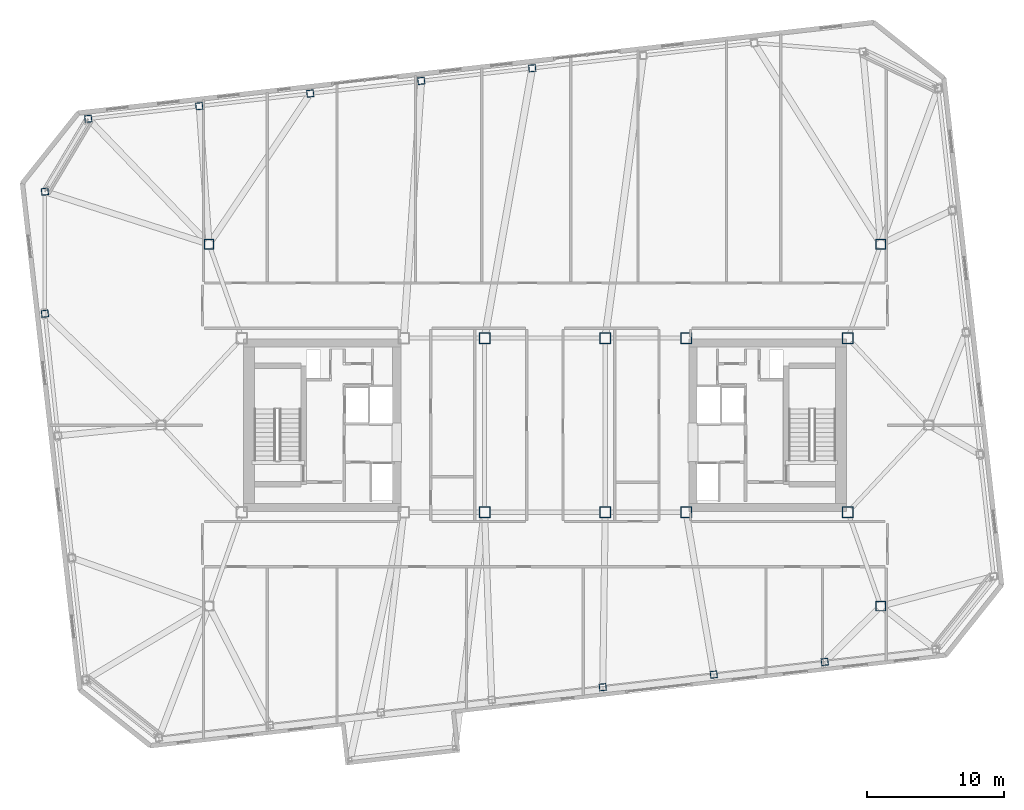
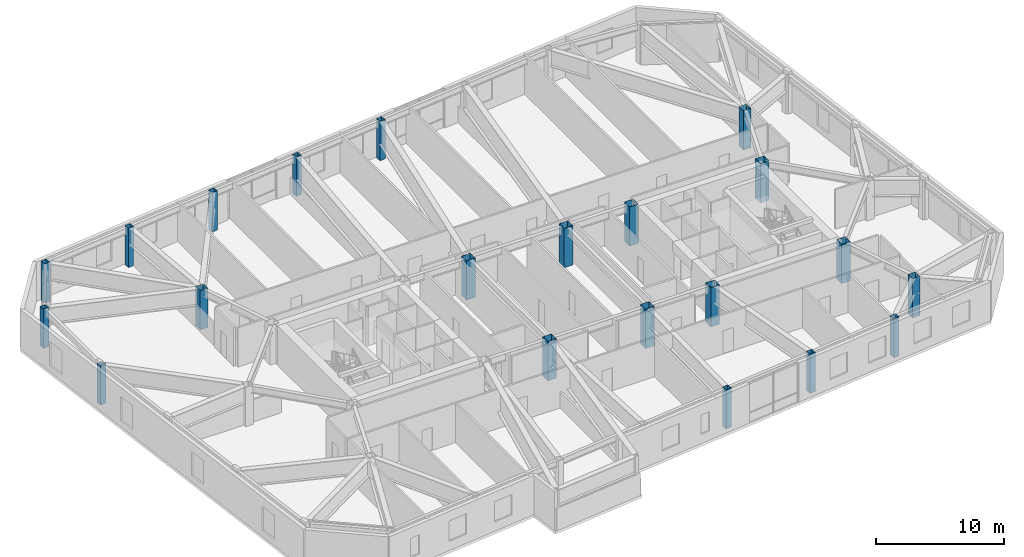
# One storey, part 2 of 18: 21 columns.
"""IFC4 building model written with IfcOpenShell, lengths in metres."""

from ifc_helpers import new_model, si_unit, direction, frame, origin, origin_2d, place, context, subcontext, project, spatial, hollow_rectangle, extrude, material, material_profile, profile_set, type_object, element, save


model = new_model("IFC4")

# Units and contexts
model_context = context("Model", 3, precision=1e-05, world=origin(), true_north=direction((0.0, 1.0)))
body_context = subcontext(model_context, "Body", "Model", "MODEL_VIEW")
ifc_project = project(units=[si_unit("LENGTHUNIT", "METRE"), si_unit("AREAUNIT", "SQUARE_METRE"), si_unit("VOLUMEUNIT", "CUBIC_METRE"), si_unit("PLANEANGLEUNIT", "RADIAN"), si_unit("MASSUNIT", "GRAM", prefix="KILO")], contexts=[model_context])

# Site, building, storey
site_placement = place(None, origin())
site = spatial("IfcSite", under=ifc_project, at=site_placement, CompositionType="ELEMENT")
building_placement = place(site_placement, origin())
building = spatial("IfcBuilding", under=site, at=building_placement, Name="Tavrogorsk Clinical Tower", CompositionType="ELEMENT")
storey_placement = place(building_placement, frame((0.0, 0.0, 222.199951171875)))
storey = spatial("IfcBuildingStorey", under=building, at=storey_placement, Name="L51", CompositionType="ELEMENT", Elevation=222.199951171875)

# Columns
ifc_material_1 = material(Name="Structural steel S440", Category="steel")
ifc_material_profile_1 = material_profile(ifc_material_1, hollow_rectangle(XDim=0.699951171875, YDim=0.699951171875, WallThickness=0.031982421875, at=origin_2d()), Name="BOX-700x700x32")
ifc_profile_set_1 = profile_set([ifc_material_profile_1], Name="Structural steel S440")
column_type_1 = type_object("IfcColumnType", Name="MegaCol_BOX700", PredefinedType="COLUMN", material=ifc_profile_set_1)
for number, where, z_axis, x_axis, name in (
    (1, (24.5, -13.199951171875, 0.0), (0.0, 0.0, 1.0), (1.0, 0.0, 0.0), "L51 Spine Pilotis Column MC-P2"),
    (2, (-24.5, 13.199951171875, 0.0), (0.0, 0.0, 1.0), (1.0, 0.0, 0.0), "L51 Spine Pilotis Column MC-P3"),
    (3, (24.5, 13.199951171875, 0.0), (0.0, 0.0, 1.0), (1.0, 0.0, 0.0), "L51 Spine Pilotis Column MC-P4"),
):
    element("IfcColumn", number, at=place(storey_placement, frame(where, z_axis=z_axis, x_axis=x_axis)), inside=storey, type_object=column_type_1, Name=name, PredefinedType="COLUMN", context=body_context, shape_type="SweptSolid", body=[
        extrude(hollow_rectangle(XDim=0.699951171875, YDim=0.699951171875, WallThickness=0.031982421875, at=origin_2d()), origin(), (0.0, 0.0, 1.0), 3.739990234375),
    ])
ifc_material_2 = material(Name="Structural steel S440", Category="steel")
ifc_material_profile_2 = material_profile(ifc_material_2, hollow_rectangle(XDim=0.800048828125, YDim=0.800048828125, WallThickness=0.035888671875, at=origin_2d()), Name="BOX-800x800x36")
ifc_profile_set_2 = profile_set([ifc_material_profile_2], Name="Structural steel S440")
column_type_2 = type_object("IfcColumnType", Name="MegaCol_BOX800", PredefinedType="COLUMN", material=ifc_profile_set_2)
for number, where, z_axis, x_axis, name in (
    (4, (10.300048828125, -6.35009765625, 0.0), (0.0, 0.0, 1.0), (1.0, 0.0, 0.0), "L51 Mega Column MC-E1"),
    (5, (10.300048828125, 6.35009765625, 0.0), (0.0, 0.0, 1.0), (1.0, 0.0, 0.0), "L51 Mega Column MC-E2"),
    (6, (22.10009765625, -6.35009765625, 0.0), (0.0, 0.0, 1.0), (1.0, 0.0, 0.0), "L51 Mega Column MC-E3"),
    (7, (22.10009765625, 6.35009765625, 0.0), (0.0, 0.0, 1.0), (1.0, 0.0, 0.0), "L51 Mega Column MC-E4"),
    (8, (-4.39990234375, -6.35009765625, 0.0), (0.0, 0.0, 1.0), (1.0, 0.0, 0.0), "L51 Mega Column MC-C1"),
    (9, (4.39990234375, -6.35009765625, 0.0), (0.0, 0.0, 1.0), (1.0, 0.0, 0.0), "L51 Mega Column MC-C2"),
    (10, (-4.39990234375, 6.35009765625, 0.0), (0.0, 0.0, 1.0), (1.0, 0.0, 0.0), "L51 Mega Column MC-C3"),
    (11, (4.39990234375, 6.35009765625, 0.0), (0.0, 0.0, 1.0), (1.0, 0.0, 0.0), "L51 Mega Column MC-C4"),
):
    element("IfcColumn", number, at=place(storey_placement, frame(where, z_axis=z_axis, x_axis=x_axis)), inside=storey, type_object=column_type_2, Name=name, PredefinedType="COLUMN", context=body_context, shape_type="SweptSolid", body=[
        extrude(hollow_rectangle(XDim=0.800048828125, YDim=0.800048828125, WallThickness=0.035888671875, at=origin_2d()), origin(), (0.0, 0.0, 1.0), 3.739990234375),
    ])
ifc_material_3 = material(Name="Structural steel S440", Category="steel")
ifc_material_profile_3 = material_profile(ifc_material_3, hollow_rectangle(XDim=0.5, YDim=0.5, WallThickness=0.02490234375, at=origin_2d()), Name="BOX-500x500x25")
ifc_profile_set_3 = profile_set([ifc_material_profile_3], Name="Structural steel S440")
column_type_3 = type_object("IfcColumnType", Name="PerimCol_B4_BOX500", PredefinedType="COLUMN", material=ifc_profile_set_3)
for number, where, z_axis, x_axis, name in (
    (12, (4.22021484375, -19.11279296875, 0.0), (0.0, 0.0, 1.0), (0.993571855677, 0.113203213768, 0.0), "L51 Perimeter Column S5"),
    (13, (12.31640625, -18.190185546875, 0.0), (0.0, 0.0, 1.0), (0.993571855677, 0.113203213768, 0.0), "L51 Perimeter Column S6"),
    (14, (20.412353515625, -17.267822265625, 0.0), (0.0, 0.0, 1.0), (0.993571855677, 0.113203213768, 0.0), "L51 Perimeter Column S7"),
    (15, (-0.923828125, 26.03515625, 0.0), (0.0, 0.0, 1.0), (0.993571855677, 0.113203213768, 0.0), "L51 Perimeter Column N4"),
    (16, (-9.02001953125, 25.11279296875, 0.0), (0.0, 0.0, 1.0), (0.993571855677, 0.113203213768, 0.0), "L51 Perimeter Column N5"),
    (17, (-17.1162109375, 24.190185546875, 0.0), (0.0, 0.0, 1.0), (0.993571855677, 0.113203213768, 0.0), "L51 Perimeter Column N6"),
    (18, (-25.21240234375, 23.267822265625, 0.0), (0.0, 0.0, 1.0), (0.993571855677, 0.113203213768, 0.0), "L51 Perimeter Column N7"),
    (19, (-33.30859375, 22.345458984375, 0.0), (0.0, 0.0, 1.0), (0.993571855677, 0.113203213768, 0.0), "L51 Perimeter Column N8"),
    (20, (-36.469970703125, 17.032958984375, 0.0), (0.0, 0.0, 1.0), (0.993571855677, 0.113203213768, 0.0), "L51 Perimeter Column W1"),
    (21, (-36.469970703125, 8.130615234375, 0.0), (0.0, 0.0, 1.0), (0.993571855677, 0.113203213768, 0.0), "L51 Perimeter Column W2"),
):
    element("IfcColumn", number, at=place(storey_placement, frame(where, z_axis=z_axis, x_axis=x_axis)), inside=storey, type_object=column_type_3, Name=name, PredefinedType="COLUMN", context=body_context, shape_type="SweptSolid", body=[
        extrude(hollow_rectangle(XDim=0.5, YDim=0.5, WallThickness=0.02490234375, at=origin_2d()), origin(), (0.0, 0.0, 1.0), 3.739990234375),
    ])

save(model, "model.ifc")
